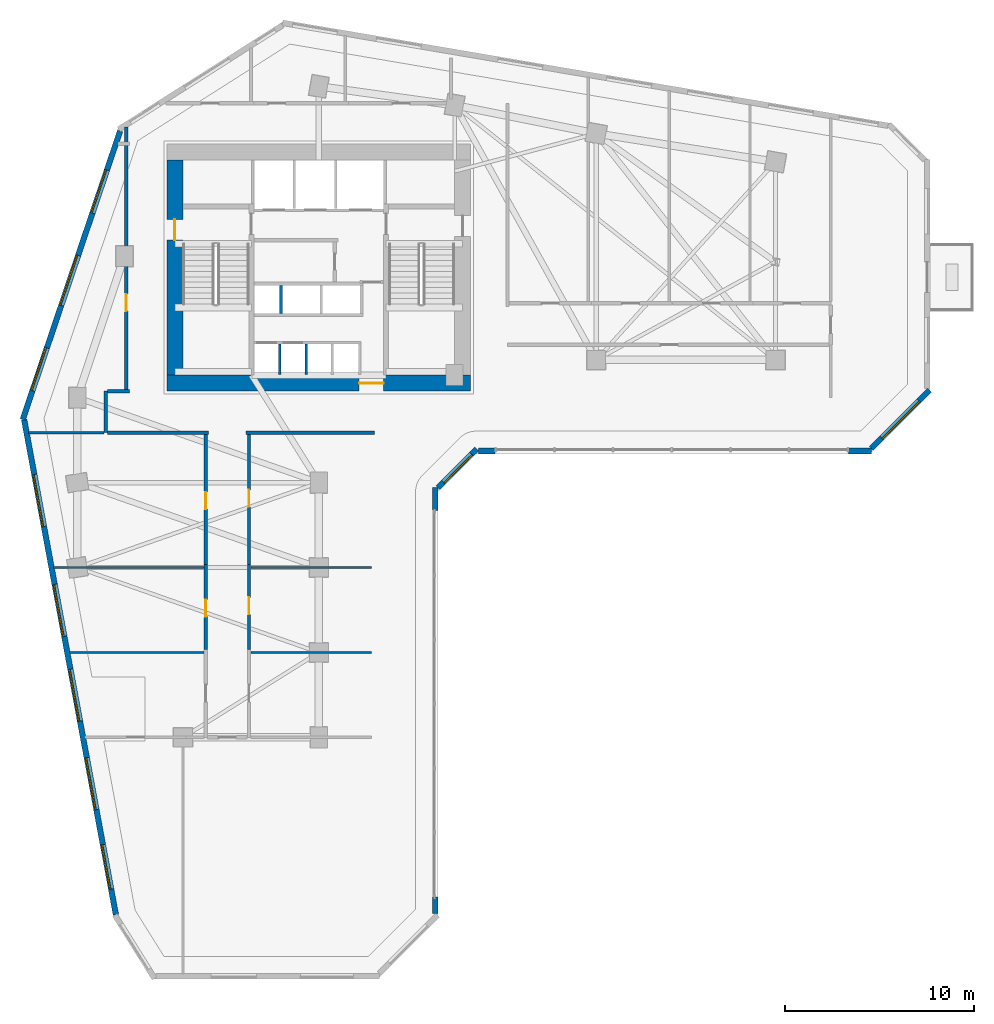
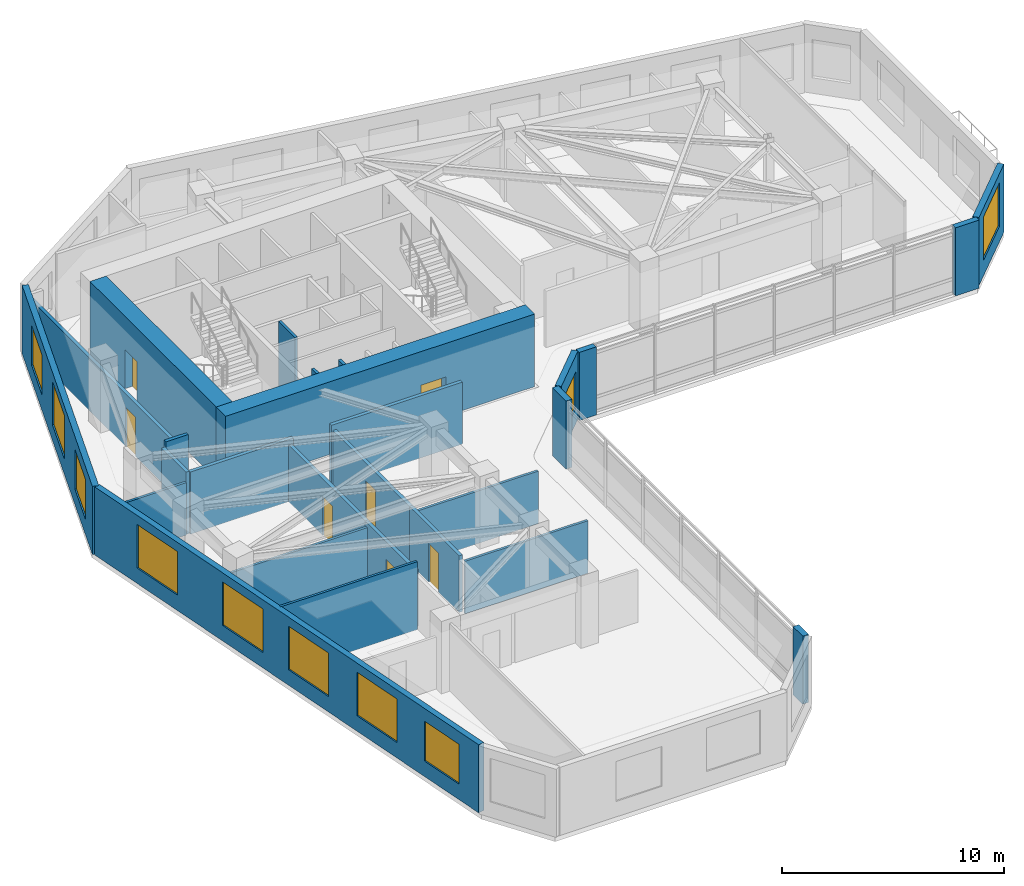
# One storey, part 5 of 11: 27 walls, 10 windows, 7 doors, 17 openings.
"""IFC4 building model written with IfcOpenShell, lengths in metres."""

from ifc_helpers import new_model, si_unit, direction, frame, frame_2d, origin, place, context, subcontext, project, spatial, rectangle, extrude, source, transform, mapped, material, layer, layer_set, type_object, element, fill, save


model = new_model("IFC4")

# Units and contexts
model_context = context("Model", 3, precision=1e-05, world=origin(), true_north=direction((0.0, 1.0)))
body_context = subcontext(model_context, "Body", "Model", "MODEL_VIEW")
ifc_project = project(units=[si_unit("LENGTHUNIT", "METRE"), si_unit("AREAUNIT", "SQUARE_METRE"), si_unit("VOLUMEUNIT", "CUBIC_METRE"), si_unit("PLANEANGLEUNIT", "RADIAN"), si_unit("MASSUNIT", "GRAM", prefix="KILO")], contexts=[model_context])

# Site, building, storey
site_placement = place(None, origin())
site = spatial("IfcSite", under=ifc_project, at=site_placement, CompositionType="ELEMENT")
building_placement = place(site_placement, origin())
building = spatial("IfcBuilding", under=site, at=building_placement, Name="Calvemar Wedge Station Tower", CompositionType="ELEMENT")
storey_placement = place(building_placement, frame((0.0, 0.0, 79.0)))
storey = spatial("IfcBuildingStorey", under=building, at=storey_placement, Name="L19", CompositionType="ELEMENT", Elevation=79.0)

# Wall, opening, door
ifc_material_1 = material(Name="Concrete C80", Category="concrete")
ifc_layer_1 = layer(ifc_material_1, 0.85009765625)
ifc_layer_set_1 = layer_set([ifc_layer_1], Name="Concrete C80")
wall_type_1 = type_object("IfcWallType", Name="SW-CORE-850", PredefinedType="SHEAR", material=ifc_layer_set_1)
wall_1_placement = place(storey_placement, frame((15.75, 33.77490234375, 0.0), z_axis=(0.0, 0.0, 1.0), x_axis=(1.0, 0.0, 0.0)))
wall_1 = element("IfcWall", 1, at=wall_1_placement, inside=storey, type_object=wall_type_1, Name="Storey L19 Core Shear Wall S", PredefinedType="SHEAR", context=body_context, shape_type="SweptSolid", body=[
    extrude(rectangle(XDim=16.10009765625, YDim=0.85009765625, at=frame_2d((8.050048828125, 0.0))), origin(), (0.0, 0.0, 1.0), 4.0),
])
shared_shape_1 = source(origin(), body_context, "Body", "SweptSolid", [
    extrude(rectangle(XDim=1.300048828125, YDim=2.14990234375, at=frame_2d((0.64990234375, 1.074951171875))), frame((0.0, 0.43505859375, 0.0), z_axis=(0.0, -1.0, 0.0), x_axis=(1.0, 0.0, 0.0)), (0.0, 0.0, 1.0), 0.8701171875),
])
opening_1_placement = place(wall_1_placement, frame((10.179931640625, 0.0, 0.0)))
opening_1 = element("IfcOpeningElement", 2, at=opening_1_placement, cuts=wall_1, Name="Opening DD-130", PredefinedType="OPENING", context=body_context, shape_type="MappedRepresentation", body=[
    mapped(shared_shape_1, transform((0.0, 0.0, 0.0), scale=1.0)),
])
ifc_material_2 = material(Name="Double-leaf lift lobby fire door EI 60")
door_type_1 = type_object("IfcDoorType", Name="DR-DBL-1300", OperationType="DOUBLE_DOOR_SINGLE_SWING", PredefinedType="DOOR", material=ifc_material_2)
shared_shape_2 = source(origin(), body_context, "Body", "SweptSolid", [
    extrude(rectangle(XDim=1.300048828125, YDim=2.14990234375, at=frame_2d((0.64990234375, 1.074951171875))), frame((0.0, 0.02490234375, 0.0), z_axis=(0.0, -1.0, 0.0), x_axis=(1.0, 0.0, 0.0)), (0.0, 0.0, 1.0), 0.050048828125),
])
door_1_placement = place(opening_1_placement, origin())
door_1 = element("IfcDoor", 3, at=door_1_placement, inside=storey, type_object=door_type_1, Name="L19 Passenger Lift Lobby Door", OperationType="DOUBLE_DOOR_SINGLE_SWING", OverallHeight=2.14990234375, OverallWidth=1.300048828125, PredefinedType="DOOR", context=body_context, shape_type="MappedRepresentation", body=[
    mapped(shared_shape_2, transform((0.0, 0.0, 0.0), scale=1.0)),
])
fill(opening_1, door_1)

wall_2_placement = place(storey_placement, frame((16.175048828125, 34.199951171875, 0.0), z_axis=(0.0, 0.0, 1.0), x_axis=(0.0, 1.0, 0.0)))
wall_2 = element("IfcWall", 4, at=wall_2_placement, inside=storey, type_object=wall_type_1, Name="Storey L19 Core Shear Wall W", PredefinedType="SHEAR", context=body_context, shape_type="SweptSolid", body=[
    extrude(rectangle(XDim=11.400146484375, YDim=0.85009765625, at=frame_2d((5.7001953125, 0.0))), origin(), (0.0, 0.0, 1.0), 4.0),
])
shared_shape_3 = source(origin(), body_context, "Body", "SweptSolid", [
    extrude(rectangle(XDim=1.10009765625, YDim=2.14990234375, at=frame_2d((0.550048828125, 1.074951171875))), frame((0.0, 0.43505859375, 0.0), z_axis=(0.0, -1.0, 0.0), x_axis=(1.0, 0.0, 0.0)), (0.0, 0.0, 1.0), 0.8701171875),
])
opening_2_placement = place(wall_2_placement, frame((7.14990234375, 0.0, 0.0)))
opening_2 = element("IfcOpeningElement", 5, at=opening_2_placement, cuts=wall_2, Name="Opening FD-90", PredefinedType="OPENING", context=body_context, shape_type="MappedRepresentation", body=[
    mapped(shared_shape_3, transform((0.0, 0.0, 0.0), scale=1.0)),
])
ifc_material_3 = material(Name="Galvanized fire-rated steel door leaf P-90", Category="steel")
door_type_2 = type_object("IfcDoorType", Name="DR-FD90-1100", OperationType="NOTDEFINED", PredefinedType="DOOR", material=ifc_material_3)
shared_shape_4 = source(origin(), body_context, "Body", "SweptSolid", [
    extrude(rectangle(XDim=1.10009765625, YDim=2.14990234375, at=frame_2d((0.550048828125, 1.074951171875))), frame((0.0, 0.02490234375, 0.0), z_axis=(0.0, -1.0, 0.0), x_axis=(1.0, 0.0, 0.0)), (0.0, 0.0, 1.0), 0.050048828125),
])
door_2_placement = place(opening_2_placement, origin())
door_2 = element("IfcDoor", 6, at=door_2_placement, inside=storey, type_object=door_type_2, Name="L19 West Corridor to Exit Stair ST-C1 Door", OperationType="SINGLE_SWING_RIGHT", OverallHeight=2.14990234375, OverallWidth=1.10009765625, PredefinedType="DOOR", context=body_context, shape_type="MappedRepresentation", body=[
    mapped(shared_shape_4, transform((0.0, 0.0, 0.0), scale=1.0)),
])
fill(opening_2, door_2)

# Walls
ifc_material_4 = material(Name="Double-stud fire-rated corridor partition")
ifc_layer_2 = layer(ifc_material_4, 0.179931640625)
ifc_layer_set_2 = layer_set([ifc_layer_2], Name="Double-stud fire-rated corridor partition")
wall_type_2 = type_object("IfcWallType", Name="W-CORR-180", PredefinedType="PARTITIONING", material=ifc_layer_set_2)
wall_3_placement = place(storey_placement, frame((12.5, 31.14990234375, 0.0), z_axis=(0.0, 0.0, 1.0), x_axis=(0.0, 1.0, 0.0)))
element("IfcWall", 7, at=wall_3_placement, inside=storey, type_object=wall_type_2, Name="Storey L19 Interior Partition WL-L19-004", PredefinedType="PARTITIONING", context=body_context, shape_type="SweptSolid", body=[
    extrude(rectangle(XDim=2.2001953125, YDim=0.179931640625, at=frame_2d((1.10009765625, 0.0))), origin(), (0.0, 0.0, 1.0), 3.4189453125),
])
wall_4_placement = place(storey_placement, frame((12.593994140625, 33.35009765625, 0.0), z_axis=(0.0, 0.0, 1.0), x_axis=(1.0, 0.0, 0.0)))
element("IfcWall", 8, at=wall_4_placement, inside=storey, type_object=wall_type_2, Name="Storey L19 Interior Partition WL-L19-005", PredefinedType="PARTITIONING", context=body_context, shape_type="SweptSolid", body=[
    extrude(rectangle(XDim=1.166015625, YDim=0.179931640625, at=frame_2d((0.5830078125, 0.0))), origin(), (0.0, 0.0, 1.0), 3.75),
])
wall_5_placement = place(storey_placement, frame((17.9599609375, 31.14990234375, 0.0), z_axis=(0.0, 0.0, 1.0), x_axis=(-1.0, 0.0, 0.0)))
element("IfcWall", 9, at=wall_5_placement, inside=storey, type_object=wall_type_2, Name="Storey L19 Interior Partition WL-L19-006", PredefinedType="PARTITIONING", context=body_context, shape_type="SweptSolid", body=[
    extrude(rectangle(XDim=5.365966796875, YDim=0.179931640625, at=frame_2d((2.68310546875, 0.0))), origin(), (0.0, 0.0, 1.0), 3.4189453125),
])
wall_6_placement = place(storey_placement, frame((26.760009765625, 31.14990234375, 0.0), z_axis=(0.0, 0.0, 1.0), x_axis=(-1.0, 0.0, 0.0)))
element("IfcWall", 10, at=wall_6_placement, inside=storey, type_object=wall_type_2, Name="Storey L19 Interior Partition WL-L19-007", PredefinedType="PARTITIONING", context=body_context, shape_type="SweptSolid", body=[
    extrude(rectangle(XDim=6.820068359375, YDim=0.179931640625, at=frame_2d((3.41015625, 0.0))), origin(), (0.0, 0.0, 1.0), 3.4189453125),
])

# Wall, opening, door
wall_7_placement = place(storey_placement, frame((13.60009765625, 33.444091796875, 0.0), z_axis=(0.0, 0.0, 1.0), x_axis=(0.0, 1.0, 0.0)))
wall_7 = element("IfcWall", 11, at=wall_7_placement, inside=storey, type_object=wall_type_2, Name="Storey L19 Interior Partition WL-L19-008", PredefinedType="PARTITIONING", context=body_context, shape_type="SweptSolid", body=[
    extrude(rectangle(XDim=13.896240234375, YDim=0.179931640625, at=frame_2d((6.9482421875, 0.0))), origin(), (0.0, 0.0, 1.0), 2.89208984375),
])
shared_shape_5 = source(origin(), body_context, "Body", "SweptSolid", [
    extrude(rectangle(XDim=0.89990234375, YDim=2.14990234375, at=frame_2d((0.449951171875, 1.074951171875))), frame((0.0, 0.10009765625, 0.0), z_axis=(0.0, -1.0, 0.0), x_axis=(1.0, 0.0, 0.0)), (0.0, 0.0, 1.0), 0.199951171875),
])
opening_3_placement = place(wall_7_placement, frame((4.143798828125, 0.0, 0.0)))
opening_3 = element("IfcOpeningElement", 12, at=opening_3_placement, cuts=wall_7, Name="Opening D-01", PredefinedType="OPENING", context=body_context, shape_type="MappedRepresentation", body=[
    mapped(shared_shape_5, transform((0.0, 0.0, 0.0), scale=1.0)),
])
ifc_material_5 = material(Name="Architectural hardwood acoustic swing door", Category="wood")
door_type_3 = type_object("IfcDoorType", Name="DR-INT-900", OperationType="NOTDEFINED", PredefinedType="DOOR", material=ifc_material_5)
shared_shape_6 = source(origin(), body_context, "Body", "SweptSolid", [
    extrude(rectangle(XDim=0.89990234375, YDim=2.14990234375, at=frame_2d((0.449951171875, 1.074951171875))), frame((0.0, 0.02490234375, 0.0), z_axis=(0.0, -1.0, 0.0), x_axis=(1.0, 0.0, 0.0)), (0.0, 0.0, 1.0), 0.050048828125),
])
door_3_placement = place(opening_3_placement, origin())
door_3 = element("IfcDoor", 13, at=door_3_placement, inside=storey, type_object=door_type_3, Name="L19 Co-Working Studio Door", OperationType="SINGLE_SWING_RIGHT", OverallHeight=2.14990234375, OverallWidth=0.89990234375, PredefinedType="DOOR", context=body_context, shape_type="MappedRepresentation", body=[
    mapped(shared_shape_6, transform((0.0, 0.0, 0.0), scale=1.0)),
])
fill(opening_3, door_3)

wall_8_placement = place(storey_placement, frame((17.800048828125, 19.662109375, 0.0), z_axis=(0.0, 0.0, 1.0), x_axis=(0.0, 1.0, 0.0)))
wall_8 = element("IfcWall", 14, at=wall_8_placement, inside=storey, type_object=wall_type_2, Name="Storey L19 Interior Partition WL-L19-031", PredefinedType="PARTITIONING", context=body_context, shape_type="SweptSolid", body=[
    extrude(rectangle(XDim=4.497802734375, YDim=0.179931640625, at=frame_2d((2.2490234375, 0.0))), origin(), (0.0, 0.0, 1.0), 3.125),
])
opening_4_placement = place(wall_8_placement, frame((1.73828125, 0.0, 0.0)))
opening_4 = element("IfcOpeningElement", 15, at=opening_4_placement, cuts=wall_8, Name="Opening D-01", PredefinedType="OPENING", context=body_context, shape_type="MappedRepresentation", body=[
    mapped(shared_shape_5, transform((0.0, 0.0, 0.0), scale=1.0)),
])
door_4_placement = place(opening_4_placement, origin())
door_4 = element("IfcDoor", 16, at=door_4_placement, inside=storey, type_object=door_type_3, Name="L19 Office Door", OperationType="SINGLE_SWING_RIGHT", OverallHeight=2.14990234375, OverallWidth=0.89990234375, PredefinedType="DOOR", context=body_context, shape_type="MappedRepresentation", body=[
    mapped(shared_shape_6, transform((0.0, 0.0, 0.0), scale=1.0)),
])
fill(opening_4, door_4)

wall_9_placement = place(storey_placement, frame((20.10009765625, 24.159912109375, 0.0), z_axis=(0.0, 0.0, 1.0), x_axis=(0.0, -1.0, 0.0)))
wall_9 = element("IfcWall", 17, at=wall_9_placement, inside=storey, type_object=wall_type_2, Name="Storey L19 Interior Partition WL-L19-032", PredefinedType="PARTITIONING", context=body_context, shape_type="SweptSolid", body=[
    extrude(rectangle(XDim=4.497802734375, YDim=0.179931640625, at=frame_2d((2.2490234375, 0.0))), origin(), (0.0, 0.0, 1.0), 3.125),
])
opening_5_placement = place(wall_9_placement, frame((1.73828125, 0.0, 0.0)))
opening_5 = element("IfcOpeningElement", 18, at=opening_5_placement, cuts=wall_9, Name="Opening D-01", PredefinedType="OPENING", context=body_context, shape_type="MappedRepresentation", body=[
    mapped(shared_shape_5, transform((0.0, 0.0, 0.0), scale=1.0)),
])
door_5_placement = place(opening_5_placement, origin())
door_5 = element("IfcDoor", 19, at=door_5_placement, inside=storey, type_object=door_type_3, Name="L19 Office Door", OperationType="SINGLE_SWING_LEFT", OverallHeight=2.14990234375, OverallWidth=0.89990234375, PredefinedType="DOOR", context=body_context, shape_type="MappedRepresentation", body=[
    mapped(shared_shape_6, transform((0.0, 0.0, 0.0), scale=1.0)),
])
fill(opening_5, door_5)

wall_10_placement = place(storey_placement, frame((17.800048828125, 24.162109375, 0.0), z_axis=(0.0, 0.0, 1.0), x_axis=(0.0, 1.0, 0.0)))
wall_10 = element("IfcWall", 20, at=wall_10_placement, inside=storey, type_object=wall_type_2, Name="Storey L19 Interior Partition WL-L19-033", PredefinedType="PARTITIONING", context=body_context, shape_type="SweptSolid", body=[
    extrude(rectangle(XDim=6.893798828125, YDim=0.179931640625, at=frame_2d((3.44677734375, 0.0))), origin(), (0.0, 0.0, 1.0), 3.125),
])
opening_6_placement = place(wall_10_placement, frame((2.9365234375, 0.0, 0.0)))
opening_6 = element("IfcOpeningElement", 21, at=opening_6_placement, cuts=wall_10, Name="Opening D-01", PredefinedType="OPENING", context=body_context, shape_type="MappedRepresentation", body=[
    mapped(shared_shape_5, transform((0.0, 0.0, 0.0), scale=1.0)),
])
door_6_placement = place(opening_6_placement, origin())
door_6 = element("IfcDoor", 22, at=door_6_placement, inside=storey, type_object=door_type_3, Name="L19 Co-Working Studio Door", OperationType="SINGLE_SWING_RIGHT", OverallHeight=2.14990234375, OverallWidth=0.89990234375, PredefinedType="DOOR", context=body_context, shape_type="MappedRepresentation", body=[
    mapped(shared_shape_6, transform((0.0, 0.0, 0.0), scale=1.0)),
])
fill(opening_6, door_6)

wall_11_placement = place(storey_placement, frame((20.10009765625, 31.055908203125, 0.0), z_axis=(0.0, 0.0, 1.0), x_axis=(0.0, -1.0, 0.0)))
wall_11 = element("IfcWall", 23, at=wall_11_placement, inside=storey, type_object=wall_type_2, Name="Storey L19 Interior Partition WL-L19-034", PredefinedType="PARTITIONING", context=body_context, shape_type="SweptSolid", body=[
    extrude(rectangle(XDim=6.893798828125, YDim=0.179931640625, at=frame_2d((3.44677734375, 0.0))), origin(), (0.0, 0.0, 1.0), 3.125),
])
opening_7_placement = place(wall_11_placement, frame((2.9365234375, 0.0, 0.0)))
opening_7 = element("IfcOpeningElement", 24, at=opening_7_placement, cuts=wall_11, Name="Opening D-01", PredefinedType="OPENING", context=body_context, shape_type="MappedRepresentation", body=[
    mapped(shared_shape_5, transform((0.0, 0.0, 0.0), scale=1.0)),
])
door_7_placement = place(opening_7_placement, origin())
door_7 = element("IfcDoor", 25, at=door_7_placement, inside=storey, type_object=door_type_3, Name="L19 Meeting Room Door", OperationType="SINGLE_SWING_LEFT", OverallHeight=2.14990234375, OverallWidth=0.89990234375, PredefinedType="DOOR", context=body_context, shape_type="MappedRepresentation", body=[
    mapped(shared_shape_6, transform((0.0, 0.0, 0.0), scale=1.0)),
])
fill(opening_7, door_7)

# Walls
ifc_material_6 = material(Name="Precast concrete C45", Category="concrete")
ifc_layer_3 = layer(ifc_material_6, 0.300048828125)
ifc_layer_set_3 = layer_set([ifc_layer_3], Name="Precast concrete C45")
wall_type_3 = type_object("IfcWallType", Name="W-EXT-GFRC-300", PredefinedType="SOLIDWALL", material=ifc_layer_set_3)
wall_12_placement = place(storey_placement, frame((29.97802734375, 5.6572265625, 0.0), z_axis=(0.0, 0.0, 1.0), x_axis=(0.0, 1.0, 0.0)))
element("IfcWall", 26, at=wall_12_placement, inside=storey, type_object=wall_type_3, Name="Storey L19 Bronze GFRC Corner Pier 4A", PredefinedType="SOLIDWALL", context=body_context, shape_type="SweptSolid", body=[
    extrude(rectangle(XDim=0.8798828125, YDim=0.300048828125, at=frame_2d((0.43994140625, 0.0))), origin(), (0.0, 0.0, 1.0), 3.75),
])
wall_13_placement = place(storey_placement, frame((29.97802734375, 27.01513671875, 0.0), z_axis=(0.0, 0.0, 1.0), x_axis=(0.0, 1.0, 0.0)))
element("IfcWall", 27, at=wall_13_placement, inside=storey, type_object=wall_type_3, Name="Storey L19 Bronze GFRC Corner Pier 4B", PredefinedType="SOLIDWALL", context=body_context, shape_type="SweptSolid", body=[
    extrude(rectangle(XDim=1.224853515625, YDim=0.300048828125, at=frame_2d((0.6123046875, 0.0))), origin(), (0.0, 0.0, 1.0), 3.75),
])

# Wall, opening, window
wall_14_placement = place(storey_placement, frame((30.115966796875, 28.22802734375, 0.0), z_axis=(0.0, 0.0, 1.0), x_axis=(0.707064797706, 0.707148762175, 0.0)))
wall_14 = element("IfcWall", 28, at=wall_14_placement, inside=storey, type_object=wall_type_3, Name="Storey L19 Bronze GFRC Exterior Wall 5", PredefinedType="SOLIDWALL", context=body_context, shape_type="SweptSolid", body=[
    extrude(rectangle(XDim=2.90771484375, YDim=0.300048828125, at=frame_2d((1.453857421875, 0.0))), origin(), (0.0, 0.0, 1.0), 3.75),
])
shared_shape_7 = source(origin(), body_context, "Body", "SweptSolid", [
    extrude(rectangle(XDim=2.10009765625, YDim=2.0, at=frame_2d((1.050048828125, 1.0))), frame((0.0, 0.16015625, 0.0), z_axis=(0.0, -1.0, 0.0), x_axis=(1.0, 0.0, 0.0)), (0.0, 0.0, 1.0), 0.320068359375),
])
opening_8_placement = place(wall_14_placement, frame((0.404052734375, 0.0, 0.85009765625)))
opening_8 = element("IfcOpeningElement", 29, at=opening_8_placement, cuts=wall_14, Name="Opening W4", PredefinedType="OPENING", context=body_context, shape_type="MappedRepresentation", body=[
    mapped(shared_shape_7, transform((0.0, 0.0, 0.0), scale=1.0)),
])
ifc_material_7 = material(Name="Low-E laminated insulated glass", Category="glass")
window_type_1 = type_object("IfcWindowType", Name="WIN-EXT-4", PartitioningType="SINGLE_PANEL", PredefinedType="WINDOW", material=ifc_material_7)
shared_shape_8 = source(origin(), body_context, "Body", "SweptSolid", [
    extrude(rectangle(XDim=2.10009765625, YDim=2.0, at=frame_2d((1.050048828125, 1.0))), frame((0.0, -0.014892578125, 0.0), z_axis=(0.0, -1.0, 0.0), x_axis=(1.0, 0.0, 0.0)), (0.0, 0.0, 1.0), 0.06005859375),
])
window_1_placement = place(opening_8_placement, origin())
window_1 = element("IfcWindow", 30, at=window_1_placement, inside=storey, type_object=window_type_1, Name="Storey L19 Recessed Window 5.1", OverallHeight=2.0, OverallWidth=2.10009765625, PartitioningType="SINGLE_PANEL", PredefinedType="WINDOW", context=body_context, shape_type="MappedRepresentation", body=[
    mapped(shared_shape_8, transform((0.0, 0.0, 0.0), scale=1.0)),
])
fill(opening_8, window_1)

# Walls
wall_15_placement = place(storey_placement, frame((32.260986328125, 30.177978515625, 0.0), z_axis=(0.0, 0.0, 1.0), x_axis=(1.0, 0.0, 0.0)))
element("IfcWall", 31, at=wall_15_placement, inside=storey, type_object=wall_type_3, Name="Storey L19 Bronze GFRC Corner Pier 6A", PredefinedType="SOLIDWALL", context=body_context, shape_type="SweptSolid", body=[
    extrude(rectangle(XDim=0.8798828125, YDim=0.300048828125, at=frame_2d((0.43994140625, 0.0))), origin(), (0.0, 0.0, 1.0), 3.75),
])
wall_16_placement = place(storey_placement, frame((51.86279296875, 30.177978515625, 0.0), z_axis=(0.0, 0.0, 1.0), x_axis=(1.0, 0.0, 0.0)))
element("IfcWall", 32, at=wall_16_placement, inside=storey, type_object=wall_type_3, Name="Storey L19 Bronze GFRC Corner Pier 6B", PredefinedType="SOLIDWALL", context=body_context, shape_type="SweptSolid", body=[
    extrude(rectangle(XDim=1.22509765625, YDim=0.300048828125, at=frame_2d((0.612548828125, 0.0))), origin(), (0.0, 0.0, 1.0), 3.75),
])

# Wall, opening, window
wall_17_placement = place(storey_placement, frame((53.075927734375, 30.31591796875, 0.0), z_axis=(0.0, 0.0, 1.0), x_axis=(0.707078757535, 0.707134803727, 0.0)))
wall_17 = element("IfcWall", 33, at=wall_17_placement, inside=storey, type_object=wall_type_3, Name="Storey L19 Bronze GFRC Exterior Wall 7", PredefinedType="SOLIDWALL", context=body_context, shape_type="SweptSolid", body=[
    extrude(rectangle(XDim=4.35595703125, YDim=0.300048828125, at=frame_2d((2.177978515625, 0.0))), origin(), (0.0, 0.0, 1.0), 3.75),
])
shared_shape_9 = source(origin(), body_context, "Body", "SweptSolid", [
    extrude(rectangle(XDim=2.800048828125, YDim=2.39990234375, at=frame_2d((1.39990234375, 1.199951171875))), frame((0.0, 0.16015625, 0.0), z_axis=(0.0, -1.0, 0.0), x_axis=(1.0, 0.0, 0.0)), (0.0, 0.0, 1.0), 0.320068359375),
])
opening_9_placement = place(wall_17_placement, frame((0.778076171875, 0.0, 0.85009765625)))
opening_9 = element("IfcOpeningElement", 34, at=opening_9_placement, cuts=wall_17, Name="Opening W6", PredefinedType="OPENING", context=body_context, shape_type="MappedRepresentation", body=[
    mapped(shared_shape_9, transform((0.0, 0.0, 0.0), scale=1.0)),
])
window_type_2 = type_object("IfcWindowType", Name="WIN-EXT-6", PartitioningType="SINGLE_PANEL", PredefinedType="WINDOW", material=ifc_material_7)
shared_shape_10 = source(origin(), body_context, "Body", "SweptSolid", [
    extrude(rectangle(XDim=2.800048828125, YDim=2.39990234375, at=frame_2d((1.39990234375, 1.199951171875))), frame((0.0, -0.014892578125, 0.0), z_axis=(0.0, -1.0, 0.0), x_axis=(1.0, 0.0, 0.0)), (0.0, 0.0, 1.0), 0.06005859375),
])
window_2_placement = place(opening_9_placement, origin())
window_2 = element("IfcWindow", 35, at=window_2_placement, inside=storey, type_object=window_type_2, Name="Storey L19 Recessed Window 7.1", OverallHeight=2.39990234375, OverallWidth=2.800048828125, PartitioningType="SINGLE_PANEL", PredefinedType="WINDOW", context=body_context, shape_type="MappedRepresentation", body=[
    mapped(shared_shape_10, transform((0.0, 0.0, 0.0), scale=1.0)),
])
fill(opening_9, window_2)

# Wall, openings, windows
wall_18_placement = place(storey_placement, frame((13.2685546875, 47.1337890625, 0.0), z_axis=(0.0, 0.0, 1.0), x_axis=(-0.319920423265, -0.947444416722, 0.0)))
wall_18 = element("IfcWall", 36, at=wall_18_placement, inside=storey, type_object=wall_type_3, Name="Storey L19 Bronze GFRC Exterior Wall 12", PredefinedType="SOLIDWALL", context=body_context, shape_type="SweptSolid", body=[
    extrude(rectangle(XDim=16.134765625, YDim=0.300048828125, at=frame_2d((8.0673828125, 0.0))), origin(), (0.0, 0.0, 1.0), 3.75),
])
shared_shape_11 = source(origin(), body_context, "Body", "SweptSolid", [
    extrude(rectangle(XDim=2.39990234375, YDim=2.199951171875, at=frame_2d((1.199951171875, 1.10009765625))), frame((0.0, 0.16015625, 0.0), z_axis=(0.0, -1.0, 0.0), x_axis=(1.0, 0.0, 0.0)), (0.0, 0.0, 1.0), 0.320068359375),
])
opening_10_placement = place(wall_18_placement, frame((2.18798828125, 0.0, 0.85009765625)))
opening_10 = element("IfcOpeningElement", 37, at=opening_10_placement, cuts=wall_18, Name="Opening W1", PredefinedType="OPENING", context=body_context, shape_type="MappedRepresentation", body=[
    mapped(shared_shape_11, transform((0.0, 0.0, 0.0), scale=1.0)),
])
opening_11_placement = place(wall_18_placement, frame((6.958984375, 0.0, 0.85009765625)))
opening_11 = element("IfcOpeningElement", 38, at=opening_11_placement, cuts=wall_18, Name="Opening W6", PredefinedType="OPENING", context=body_context, shape_type="MappedRepresentation", body=[
    mapped(shared_shape_9, transform((0.0, 0.0, 0.0), scale=1.0)),
])
opening_12_placement = place(wall_18_placement, frame((12.1298828125, 0.0, 0.85009765625)))
opening_12 = element("IfcOpeningElement", 39, at=opening_12_placement, cuts=wall_18, Name="Opening W1", PredefinedType="OPENING", context=body_context, shape_type="MappedRepresentation", body=[
    mapped(shared_shape_11, transform((0.0, 0.0, 0.0), scale=1.0)),
])
window_3_placement = place(opening_11_placement, origin())
window_3 = element("IfcWindow", 40, at=window_3_placement, inside=storey, type_object=window_type_2, Name="Storey L19 Recessed Window 12.2", OverallHeight=2.39990234375, OverallWidth=2.800048828125, PartitioningType="SINGLE_PANEL", PredefinedType="WINDOW", context=body_context, shape_type="MappedRepresentation", body=[
    mapped(shared_shape_10, transform((0.0, 0.0, 0.0), scale=1.0)),
])
fill(opening_11, window_3)
window_type_3 = type_object("IfcWindowType", Name="WIN-EXT-1", PartitioningType="SINGLE_PANEL", PredefinedType="WINDOW", material=ifc_material_7)
shared_shape_12 = source(origin(), body_context, "Body", "SweptSolid", [
    extrude(rectangle(XDim=2.39990234375, YDim=2.199951171875, at=frame_2d((1.199951171875, 1.10009765625))), frame((0.0, -0.014892578125, 0.0), z_axis=(0.0, -1.0, 0.0), x_axis=(1.0, 0.0, 0.0)), (0.0, 0.0, 1.0), 0.06005859375),
])
window_4_placement = place(opening_10_placement, origin())
window_4 = element("IfcWindow", 41, at=window_4_placement, inside=storey, type_object=window_type_3, Name="Storey L19 Recessed Window 12.1", OverallHeight=2.199951171875, OverallWidth=2.39990234375, PartitioningType="SINGLE_PANEL", PredefinedType="WINDOW", context=body_context, shape_type="MappedRepresentation", body=[
    mapped(shared_shape_12, transform((0.0, 0.0, 0.0), scale=1.0)),
])
fill(opening_10, window_4)
window_5_placement = place(opening_12_placement, origin())
window_5 = element("IfcWindow", 42, at=window_5_placement, inside=storey, type_object=window_type_3, Name="Storey L19 Recessed Window 12.3", OverallHeight=2.199951171875, OverallWidth=2.39990234375, PartitioningType="SINGLE_PANEL", PredefinedType="WINDOW", context=body_context, shape_type="MappedRepresentation", body=[
    mapped(shared_shape_12, transform((0.0, 0.0, 0.0), scale=1.0)),
])
fill(opening_12, window_5)

wall_19_placement = place(storey_placement, frame((8.183349609375, 31.83349609375, 0.0), z_axis=(0.0, 0.0, 1.0), x_axis=(0.18216364648, -0.983268226834, 0.0)))
wall_19 = element("IfcWall", 43, at=wall_19_placement, inside=storey, type_object=wall_type_3, Name="Storey L19 Bronze GFRC Exterior Wall 13", PredefinedType="SOLIDWALL", context=body_context, shape_type="SweptSolid", body=[
    extrude(rectangle(XDim=26.678466796875, YDim=0.300048828125, at=frame_2d((13.33935546875, 0.0))), origin(), (0.0, 0.0, 1.0), 3.75),
])
opening_13_placement = place(wall_19_placement, frame((2.951904296875, 0.0, 0.85009765625)))
opening_13 = element("IfcOpeningElement", 44, at=opening_13_placement, cuts=wall_19, Name="Opening W6", PredefinedType="OPENING", context=body_context, shape_type="MappedRepresentation", body=[
    mapped(shared_shape_9, transform((0.0, 0.0, 0.0), scale=1.0)),
])
opening_14_placement = place(wall_19_placement, frame((8.8759765625, 0.0, 0.85009765625)))
opening_14 = element("IfcOpeningElement", 45, at=opening_14_placement, cuts=wall_19, Name="Opening W6", PredefinedType="OPENING", context=body_context, shape_type="MappedRepresentation", body=[
    mapped(shared_shape_9, transform((0.0, 0.0, 0.0), scale=1.0)),
])
opening_15_placement = place(wall_19_placement, frame((13.452880859375, 0.0, 0.85009765625)))
opening_15 = element("IfcOpeningElement", 46, at=opening_15_placement, cuts=wall_19, Name="Opening W6", PredefinedType="OPENING", context=body_context, shape_type="MappedRepresentation", body=[
    mapped(shared_shape_9, transform((0.0, 0.0, 0.0), scale=1.0)),
])
opening_16_placement = place(wall_19_placement, frame((18.2109375, 0.0, 0.85009765625)))
opening_16 = element("IfcOpeningElement", 47, at=opening_16_placement, cuts=wall_19, Name="Opening W6", PredefinedType="OPENING", context=body_context, shape_type="MappedRepresentation", body=[
    mapped(shared_shape_9, transform((0.0, 0.0, 0.0), scale=1.0)),
])
opening_17_placement = place(wall_19_placement, frame((22.908935546875, 0.0, 0.85009765625)))
opening_17 = element("IfcOpeningElement", 48, at=opening_17_placement, cuts=wall_19, Name="Opening W1", PredefinedType="OPENING", context=body_context, shape_type="MappedRepresentation", body=[
    mapped(shared_shape_11, transform((0.0, 0.0, 0.0), scale=1.0)),
])
window_6_placement = place(opening_13_placement, origin())
window_6 = element("IfcWindow", 49, at=window_6_placement, inside=storey, type_object=window_type_2, Name="Storey L19 Recessed Window 13.1", OverallHeight=2.39990234375, OverallWidth=2.800048828125, PartitioningType="SINGLE_PANEL", PredefinedType="WINDOW", context=body_context, shape_type="MappedRepresentation", body=[
    mapped(shared_shape_10, transform((0.0, 0.0, 0.0), scale=1.0)),
])
fill(opening_13, window_6)
window_7_placement = place(opening_14_placement, origin())
window_7 = element("IfcWindow", 50, at=window_7_placement, inside=storey, type_object=window_type_2, Name="Storey L19 Recessed Window 13.2", OverallHeight=2.39990234375, OverallWidth=2.800048828125, PartitioningType="SINGLE_PANEL", PredefinedType="WINDOW", context=body_context, shape_type="MappedRepresentation", body=[
    mapped(shared_shape_10, transform((0.0, 0.0, 0.0), scale=1.0)),
])
fill(opening_14, window_7)
window_8_placement = place(opening_15_placement, origin())
window_8 = element("IfcWindow", 51, at=window_8_placement, inside=storey, type_object=window_type_2, Name="Storey L19 Recessed Window 13.3", OverallHeight=2.39990234375, OverallWidth=2.800048828125, PartitioningType="SINGLE_PANEL", PredefinedType="WINDOW", context=body_context, shape_type="MappedRepresentation", body=[
    mapped(shared_shape_10, transform((0.0, 0.0, 0.0), scale=1.0)),
])
fill(opening_15, window_8)
window_9_placement = place(opening_16_placement, origin())
window_9 = element("IfcWindow", 52, at=window_9_placement, inside=storey, type_object=window_type_2, Name="Storey L19 Recessed Window 13.4", OverallHeight=2.39990234375, OverallWidth=2.800048828125, PartitioningType="SINGLE_PANEL", PredefinedType="WINDOW", context=body_context, shape_type="MappedRepresentation", body=[
    mapped(shared_shape_10, transform((0.0, 0.0, 0.0), scale=1.0)),
])
fill(opening_16, window_9)
window_10_placement = place(opening_17_placement, origin())
window_10 = element("IfcWindow", 53, at=window_10_placement, inside=storey, type_object=window_type_3, Name="Storey L19 Recessed Window 13.5", OverallHeight=2.199951171875, OverallWidth=2.39990234375, PartitioningType="SINGLE_PANEL", PredefinedType="WINDOW", context=body_context, shape_type="MappedRepresentation", body=[
    mapped(shared_shape_12, transform((0.0, 0.0, 0.0), scale=1.0)),
])
fill(opening_17, window_10)

# Walls
ifc_material_8 = material(Name="Reinforced concrete blockwork lift shaft wall", Category="masonry")
ifc_layer_4 = layer(ifc_material_8, 0.139892578125)
ifc_layer_set_4 = layer_set([ifc_layer_4], Name="Reinforced concrete blockwork lift shaft wall")
wall_type_4 = type_object("IfcWallType", Name="W-LIFT-160", PredefinedType="SOLIDWALL", material=ifc_layer_set_4)
for number, where, z_axis, x_axis, name in (
    (54, (21.735107421875, 34.219970703125, 0.0), (0.0, 0.0, 1.0), (0.0, 1.0, 0.0), "Storey L19 South Passenger Lift Shaft Wall D1"),
    (55, (23.125, 34.219970703125, 0.0), (0.0, 0.0, 1.0), (0.0, 1.0, 0.0), "Storey L19 South Passenger Lift Shaft Wall D2"),
):
    element("IfcWall", number, at=place(storey_placement, frame(where, z_axis=z_axis, x_axis=x_axis)), inside=storey, type_object=wall_type_4, Name=name, PredefinedType="SOLIDWALL", context=body_context, shape_type="SweptSolid", body=[
        extrude(rectangle(XDim=1.6201171875, YDim=0.139892578125, at=frame_2d((0.81005859375, 0.0))), origin(), (0.0, 0.0, 1.0), 3.0419921875),
    ])
wall_20_placement = place(storey_placement, frame((21.794921875, 37.4599609375, 0.0), z_axis=(0.0, 0.0, 1.0), x_axis=(0.0, 1.0, 0.0)))
element("IfcWall", 56, at=wall_20_placement, inside=storey, type_object=wall_type_4, Name="Storey L19 Upper Passenger Lift Shaft Wall D1", PredefinedType="SOLIDWALL", context=body_context, shape_type="SweptSolid", body=[
    extrude(rectangle(XDim=1.47998046875, YDim=0.139892578125, at=frame_2d((0.739990234375, 0.0))), origin(), (0.0, 0.0, 1.0), 3.75),
])
ifc_material_9 = material(Name="Insulated acoustic gypsum stud partition")
ifc_layer_5 = layer(ifc_material_9, 0.125)
ifc_layer_set_5 = layer_set([ifc_layer_5], Name="Insulated acoustic gypsum stud partition")
wall_type_5 = type_object("IfcWallType", Name="W-PART-125", PredefinedType="PARTITIONING", material=ifc_layer_set_5)
wall_21_placement = place(storey_placement, frame((12.406005859375, 31.14990234375, 0.0), z_axis=(0.0, 0.0, 1.0), x_axis=(-1.0, 0.0, 0.0)))
element("IfcWall", 57, at=wall_21_placement, inside=storey, type_object=wall_type_5, Name="Storey L19 Interior Partition WL-L19-015", PredefinedType="PARTITIONING", context=body_context, shape_type="SweptSolid", body=[
    extrude(rectangle(XDim=3.97900390625, YDim=0.125, at=frame_2d((1.989501953125, 0.0))), origin(), (0.0, 0.0, 1.0), 2.89208984375),
])
wall_22_placement = place(storey_placement, frame((10.585205078125, 19.5, 0.0), z_axis=(0.0, 0.0, 1.0), x_axis=(1.0, 0.0, 0.0)))
element("IfcWall", 58, at=wall_22_placement, inside=storey, type_object=wall_type_5, Name="Storey L19 Interior Partition WL-L19-036", PredefinedType="PARTITIONING", context=body_context, shape_type="SweptSolid", body=[
    extrude(rectangle(XDim=7.120849609375, YDim=0.125, at=frame_2d((3.560546875, 0.0))), origin(), (0.0, 0.0, 1.0), 3.75),
])
wall_23_placement = place(storey_placement, frame((20.194091796875, 19.5, 0.0), z_axis=(0.0, 0.0, 1.0), x_axis=(1.0, 0.0, 0.0)))
element("IfcWall", 59, at=wall_23_placement, inside=storey, type_object=wall_type_5, Name="Storey L19 Interior Partition WL-L19-039", PredefinedType="PARTITIONING", context=body_context, shape_type="SweptSolid", body=[
    extrude(rectangle(XDim=6.406005859375, YDim=0.125, at=frame_2d((3.203125, 0.0))), origin(), (0.0, 0.0, 1.0), 2.89208984375),
])
wall_24_placement = place(storey_placement, frame((9.751708984375, 24.0, 0.0), z_axis=(0.0, 0.0, 1.0), x_axis=(1.0, 0.0, 0.0)))
element("IfcWall", 60, at=wall_24_placement, inside=storey, type_object=wall_type_5, Name="Storey L19 Interior Partition WL-L19-041", PredefinedType="PARTITIONING", context=body_context, shape_type="SweptSolid", body=[
    extrude(rectangle(XDim=7.954345703125, YDim=0.125, at=frame_2d((3.97705078125, 0.0))), origin(), (0.0, 0.0, 1.0), 2.89208984375),
])
wall_25_placement = place(storey_placement, frame((20.194091796875, 24.0, 0.0), z_axis=(0.0, 0.0, 1.0), x_axis=(1.0, 0.0, 0.0)))
element("IfcWall", 61, at=wall_25_placement, inside=storey, type_object=wall_type_5, Name="Storey L19 Interior Partition WL-L19-042", PredefinedType="PARTITIONING", context=body_context, shape_type="SweptSolid", body=[
    extrude(rectangle(XDim=6.406005859375, YDim=0.125, at=frame_2d((3.203125, 0.0))), origin(), (0.0, 0.0, 1.0), 2.89208984375),
])

save(model, "model.ifc")
